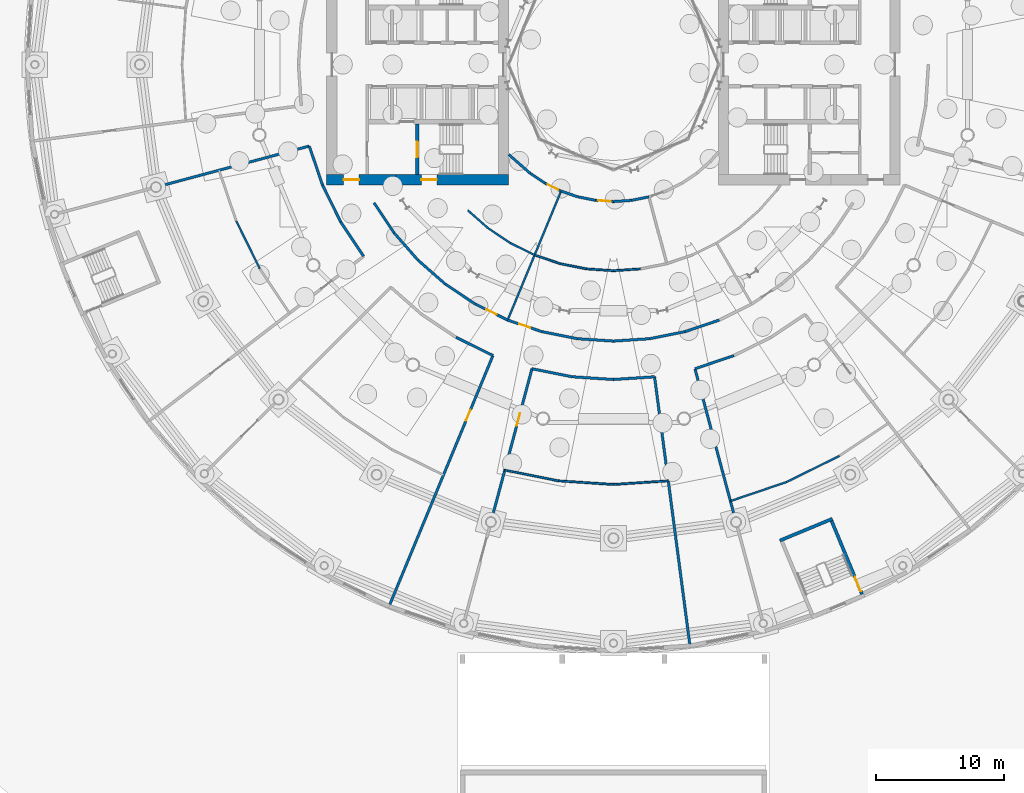
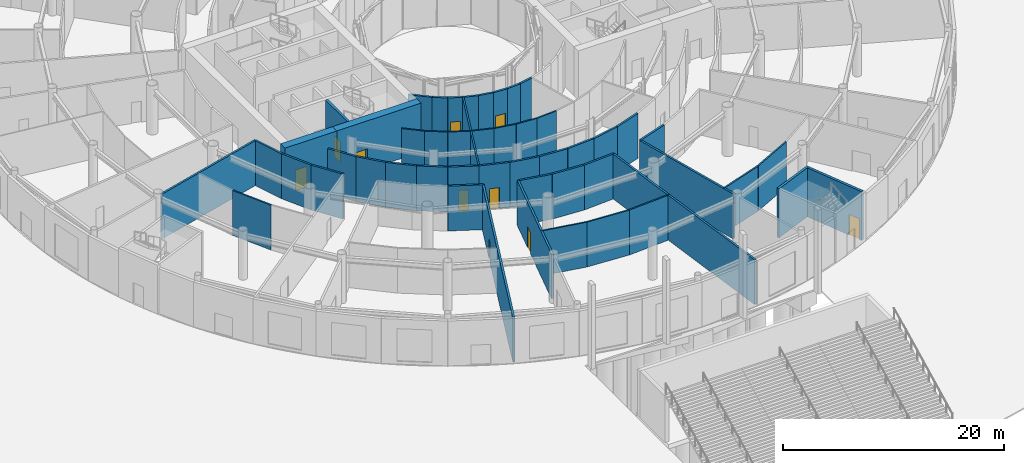
# One storey, part 19 of 41: 51 walls, 10 doors, 10 openings.
"""IFC4 building model written with IfcOpenShell, lengths in metres."""

from ifc_helpers import new_model, si_unit, direction, frame, frame_2d, origin, place, context, subcontext, project, spatial, rectangle, extrude, material, layer, layer_set, type_object, element, fill, save


model = new_model("IFC4")

# Units and contexts
model_context = context("Model", 3, precision=1e-05, world=origin(), true_north=direction((0.0, 1.0)))
body_context = subcontext(model_context, "Body", "Model", "MODEL_VIEW")
ifc_project = project(units=[si_unit("LENGTHUNIT", "METRE"), si_unit("AREAUNIT", "SQUARE_METRE"), si_unit("VOLUMEUNIT", "CUBIC_METRE"), si_unit("PLANEANGLEUNIT", "RADIAN"), si_unit("MASSUNIT", "GRAM", prefix="KILO")], contexts=[model_context])

# Site, building, storey
site_placement = place(None, origin())
site = spatial("IfcSite", under=ifc_project, at=site_placement, CompositionType="ELEMENT")
building_placement = place(site_placement, origin())
building = spatial("IfcBuilding", under=site, at=building_placement, Name="Maasbend Ring Residences", CompositionType="ELEMENT")
storey_placement = place(building_placement, origin())
storey = spatial("IfcBuildingStorey", under=building, at=storey_placement, Name="L00", CompositionType="ELEMENT", Elevation=0.0)

# Wall, opening, door
ifc_material_1 = material(Name="Concrete C70/85", Category="concrete")
ifc_layer_1 = layer(ifc_material_1, 0.25)
ifc_layer_set_1 = layer_set([ifc_layer_1], Name="Concrete C70/85")
wall_type_1 = type_object("IfcWallType", Name="CORE WALL 250 C70/85", PredefinedType="SHEAR", material=ifc_layer_set_1)
wall_1_placement = place(storey_placement, frame((-15.324951171875, -4.64990234375, 0.0), z_axis=(0.0, 0.0, 1.0), x_axis=(0.0, -1.0, 0.0)))
wall_1 = element("IfcWall", 1, at=wall_1_placement, inside=storey, type_object=wall_type_1, Name="L00 core W wall STEN", PredefinedType="SHEAR", context=body_context, shape_type="SweptSolid", body=[
    extrude(rectangle(XDim=3.9501953125, YDim=0.25, at=frame_2d((1.97509765625, 0.0))), origin(), (0.0, 0.0, 1.0), 5.39990234375),
])
opening_1_placement = place(wall_1_placement, frame((1.375, 0.0, 0.0)))
opening_1 = element("IfcOpeningElement", 2, at=opening_1_placement, cuts=wall_1, Name="Opening D-W0012", PredefinedType="OPENING", context=body_context, shape_type="SweptSolid", body=[
    extrude(rectangle(XDim=1.199951171875, YDim=2.300048828125, at=frame_2d((0.60009765625, 1.14990234375))), frame((0.0, 0.135009765625, 0.0), z_axis=(0.0, -1.0, 0.0), x_axis=(1.0, 0.0, 0.0)), (0.0, 0.0, 1.0), 0.27001953125),
])
ifc_material_2 = material(Name="Steel, powder coated", Category="steel")
door_type_1 = type_object("IfcDoorType", Name="STAIR DOOR 1200 X 2300 FD60", OperationType="NOTDEFINED", PredefinedType="DOOR", material=ifc_material_2)
door_1_placement = place(opening_1_placement, origin())
door_1 = element("IfcDoor", 3, at=door_1_placement, inside=storey, type_object=door_type_1, Name="Stair door ST-W L00", OperationType="SINGLE_SWING_LEFT", OverallHeight=2.300048828125, OverallWidth=1.199951171875, PredefinedType="DOOR", context=body_context, shape_type="SweptSolid", body=[
    extrude(rectangle(XDim=1.199951171875, YDim=2.300048828125, at=frame_2d((0.60009765625, 1.14990234375))), frame((0.0, 0.02490234375, 0.0), z_axis=(0.0, -1.0, 0.0), x_axis=(1.0, 0.0, 0.0)), (0.0, 0.0, 1.0), 0.050048828125),
])
fill(opening_1, door_1)

wall_2_placement = place(storey_placement, frame((19.40966796875, -41.37158203125, 0.0), z_axis=(0.0, 0.0, 1.0), x_axis=(-0.382666023753, 0.923886743203, 0.0)))
wall_2 = element("IfcWall", 4, at=wall_2_placement, inside=storey, type_object=wall_type_1, Name="L00 ST-P2 enclosure wall WS+", PredefinedType="SHEAR", context=body_context, shape_type="SweptSolid", body=[
    extrude(rectangle(XDim=6.4501953125, YDim=0.25, at=frame_2d((3.22509765625, 0.0))), origin(), (0.0, 0.0, 1.0), 5.39990234375),
])
opening_2_placement = place(wall_2_placement, frame((0.25, 0.0, 0.0)))
opening_2 = element("IfcOpeningElement", 5, at=opening_2_placement, cuts=wall_2, Name="Opening D-P200S", PredefinedType="OPENING", context=body_context, shape_type="SweptSolid", body=[
    extrude(rectangle(XDim=1.199951171875, YDim=2.300048828125, at=frame_2d((0.60009765625, 1.14990234375))), frame((0.0, 0.135009765625, 0.0), z_axis=(0.0, -1.0, 0.0), x_axis=(1.0, 0.0, 0.0)), (0.0, 0.0, 1.0), 0.27001953125),
])
door_2_placement = place(opening_2_placement, origin())
door_2 = element("IfcDoor", 6, at=door_2_placement, inside=storey, type_object=door_type_1, Name="Stair door ST-P2 L00", OperationType="SINGLE_SWING_RIGHT", OverallHeight=2.300048828125, OverallWidth=1.199951171875, PredefinedType="DOOR", context=body_context, shape_type="SweptSolid", body=[
    extrude(rectangle(XDim=1.199951171875, YDim=2.300048828125, at=frame_2d((0.60009765625, 1.14990234375))), frame((0.0, 0.02490234375, 0.0), z_axis=(0.0, -1.0, 0.0), x_axis=(1.0, 0.0, 0.0)), (0.0, 0.0, 1.0), 0.050048828125),
])
fill(opening_2, door_2)

# Wall
wall_3_placement = place(storey_placement, frame((12.993408203125, -37.18310546875, 0.0), z_axis=(0.0, 0.0, 1.0), x_axis=(0.923867048273, 0.382713570591, 0.0)))
element("IfcWall", 7, at=wall_3_placement, inside=storey, type_object=wall_type_1, Name="L00 ST-P2 enclosure wall WIN", PredefinedType="SHEAR", context=body_context, shape_type="SweptSolid", body=[
    extrude(rectangle(XDim=4.4501953125, YDim=0.25, at=frame_2d((2.22509765625, 0.0))), origin(), (0.0, 0.0, 1.0), 5.39990234375),
])

# Wall, opening, door
ifc_material_3 = material(Name="Concrete C70/85", Category="concrete")
ifc_layer_2 = layer(ifc_material_3, 0.800048828125)
ifc_layer_set_2 = layer_set([ifc_layer_2], Name="Concrete C70/85")
wall_type_2 = type_object("IfcWallType", Name="CORE WALL 800 C70/85", PredefinedType="SHEAR", material=ifc_layer_set_2)
wall_4_placement = place(storey_placement, frame((-8.199951171875, -9.0, 0.0), z_axis=(0.0, 0.0, 1.0), x_axis=(-1.0, 0.0, 0.0)))
wall_4 = element("IfcWall", 8, at=wall_4_placement, inside=storey, type_object=wall_type_2, Name="L00 core W wall PNA", PredefinedType="SHEAR", context=body_context, shape_type="SweptSolid", body=[
    extrude(rectangle(XDim=8.800048828125, YDim=0.800048828125, at=frame_2d((4.39990234375, 0.0))), origin(), (0.0, 0.0, 1.0), 5.39990234375),
])
opening_3_placement = place(wall_4_placement, frame((5.60009765625, 0.0, 0.0)))
opening_3 = element("IfcOpeningElement", 9, at=opening_3_placement, cuts=wall_4, Name="Opening D-W0020", PredefinedType="OPENING", context=body_context, shape_type="SweptSolid", body=[
    extrude(rectangle(XDim=1.199951171875, YDim=2.300048828125, at=frame_2d((0.60009765625, 1.14990234375))), frame((0.0, 0.41015625, 0.0), z_axis=(0.0, -1.0, 0.0), x_axis=(1.0, 0.0, 0.0)), (0.0, 0.0, 1.0), 0.820068359375),
])
door_3_placement = place(opening_3_placement, origin())
door_3 = element("IfcDoor", 10, at=door_3_placement, inside=storey, type_object=door_type_1, Name="Stair door ST-W L00", OperationType="SINGLE_SWING_LEFT", OverallHeight=2.300048828125, OverallWidth=1.199951171875, PredefinedType="DOOR", context=body_context, shape_type="SweptSolid", body=[
    extrude(rectangle(XDim=1.199951171875, YDim=2.300048828125, at=frame_2d((0.60009765625, 1.14990234375))), frame((0.0, 0.02490234375, 0.0), z_axis=(0.0, -1.0, 0.0), x_axis=(1.0, 0.0, 0.0)), (0.0, 0.0, 1.0), 0.050048828125),
])
fill(opening_3, door_3)

wall_5_placement = place(storey_placement, frame((-22.39990234375, -9.0, 0.0), z_axis=(0.0, 0.0, 1.0), x_axis=(1.0, 0.0, 0.0)))
wall_5 = element("IfcWall", 11, at=wall_5_placement, inside=storey, type_object=wall_type_2, Name="L00 core W wall PNB", PredefinedType="SHEAR", context=body_context, shape_type="SweptSolid", body=[
    extrude(rectangle(XDim=5.39990234375, YDim=0.800048828125, at=frame_2d((2.699951171875, 0.0))), origin(), (0.0, 0.0, 1.0), 5.39990234375),
])
opening_4_placement = place(wall_5_placement, frame((1.324951171875, 0.0, 0.0)))
opening_4 = element("IfcOpeningElement", 12, at=opening_4_placement, cuts=wall_5, Name="Opening D-W0016", PredefinedType="OPENING", context=body_context, shape_type="SweptSolid", body=[
    extrude(rectangle(XDim=1.199951171875, YDim=2.300048828125, at=frame_2d((0.60009765625, 1.14990234375))), frame((0.0, 0.41015625, 0.0), z_axis=(0.0, -1.0, 0.0), x_axis=(1.0, 0.0, 0.0)), (0.0, 0.0, 1.0), 0.820068359375),
])
ifc_material_4 = material(Name="Steel, powder coated", Category="steel")
door_type_2 = type_object("IfcDoorType", Name="CORRIDOR DOOR 1200 X 2300 FD30S", OperationType="NOTDEFINED", PredefinedType="DOOR", material=ifc_material_4)
door_4_placement = place(opening_4_placement, origin())
door_4 = element("IfcDoor", 13, at=door_4_placement, inside=storey, type_object=door_type_2, Name="Corridor door L00", OperationType="SINGLE_SWING_RIGHT", OverallHeight=2.300048828125, OverallWidth=1.199951171875, PredefinedType="DOOR", context=body_context, shape_type="SweptSolid", body=[
    extrude(rectangle(XDim=1.199951171875, YDim=2.300048828125, at=frame_2d((0.60009765625, 1.14990234375))), frame((0.0, 0.02490234375, 0.0), z_axis=(0.0, -1.0, 0.0), x_axis=(1.0, 0.0, 0.0)), (0.0, 0.0, 1.0), 0.050048828125),
])
fill(opening_4, door_4)

# Walls
ifc_material_5 = material(Name="Concrete C30/37", Category="concrete")
ifc_layer_3 = layer(ifc_material_5, 0.199951171875)
ifc_layer_set_3 = layer_set([ifc_layer_3], Name="Concrete C30/37")
wall_type_3 = type_object("IfcWallType", Name="CORRIDOR WALL 200 CONCRETE", PredefinedType="PARTITIONING", material=ifc_layer_set_3)
wall_6_placement = place(storey_placement, frame((-23.761962890625, -6.366943359375, 0.0), z_axis=(0.0, 0.0, 1.0), x_axis=(0.321593976879, -0.946877665823, 0.0)))
element("IfcWall", 14, at=wall_6_placement, inside=storey, type_object=wall_type_3, Name="U-L00-w020", PredefinedType="PARTITIONING", context=body_context, shape_type="SweptSolid", body=[
    extrude(rectangle(XDim=3.218017578125, YDim=0.199951171875, at=frame_2d((1.60888671875, 0.0))), origin(), (0.0, 0.0, 1.0), 4.949951171875),
])
wall_7_placement = place(storey_placement, frame((-22.72705078125, -9.4140625, 0.0), z_axis=(0.0, 0.0, 1.0), x_axis=(0.442259878763, -0.896886949195, 0.0)))
element("IfcWall", 15, at=wall_7_placement, inside=storey, type_object=wall_type_3, Name="U-L00-w021", PredefinedType="PARTITIONING", context=body_context, shape_type="SweptSolid", body=[
    extrude(rectangle(XDim=3.2177734375, YDim=0.199951171875, at=frame_2d((1.60888671875, 0.0))), origin(), (0.0, 0.0, 1.0), 4.949951171875),
])
wall_8_placement = place(storey_placement, frame((-21.303955078125, -12.300048828125, 0.0), z_axis=(0.0, 0.0, 1.0), x_axis=(0.555522714148, -0.831501361433, 0.0)))
element("IfcWall", 16, at=wall_8_placement, inside=storey, type_object=wall_type_3, Name="U-L00-w022", PredefinedType="PARTITIONING", context=body_context, shape_type="SweptSolid", body=[
    extrude(rectangle(XDim=3.21826171875, YDim=0.199951171875, at=frame_2d((1.609130859375, 0.0))), origin(), (0.0, 0.0, 1.0), 4.949951171875),
])
for number, where, z_axis, x_axis, name in (
    (17, (-12.300048828125, -21.303955078125, 0.0), (0.0, 0.0, 1.0), (0.896886949195, -0.442259878763, 0.0), "U-L00-w025"),
    (18, (-6.366943359375, -23.761962890625, 0.0), (0.0, 0.0, 1.0), (0.98077570041, -0.195138477717, 0.0), "U-L00-w026"),
    (19, (-3.2109375, -24.389892578125, 0.0), (0.0, 0.0, 1.0), (0.997864008616, -0.06532549509, 0.0), "U-L00-w027"),
    (20, (0.0, -24.60009765625, 0.0), (0.0, 0.0, 1.0), (0.997864008616, 0.06532549509, 0.0), "U-L00-w028"),
):
    element("IfcWall", number, at=place(storey_placement, frame(where, z_axis=z_axis, x_axis=x_axis)), inside=storey, type_object=wall_type_3, Name=name, PredefinedType="PARTITIONING", context=body_context, shape_type="SweptSolid", body=[
        extrude(rectangle(XDim=3.2177734375, YDim=0.199951171875, at=frame_2d((1.60888671875, 0.0))), origin(), (0.0, 0.0, 1.0), 4.949951171875),
    ])
wall_9_placement = place(storey_placement, frame((6.366943359375, -23.761962890625, 0.0), z_axis=(0.0, 0.0, 1.0), x_axis=(0.946877665823, 0.321593976879, 0.0)))
element("IfcWall", 21, at=wall_9_placement, inside=storey, type_object=wall_type_3, Name="U-L00-w029", PredefinedType="PARTITIONING", context=body_context, shape_type="SweptSolid", body=[
    extrude(rectangle(XDim=3.218017578125, YDim=0.199951171875, at=frame_2d((1.60888671875, 0.0))), origin(), (0.0, 0.0, 1.0), 4.949951171875),
])
wall_10_placement = place(storey_placement, frame((-18.7060546875, -10.800048828125, 0.0), z_axis=(0.0, 0.0, 1.0), x_axis=(0.55571678686, -0.831371669473, 0.0)))
element("IfcWall", 22, at=wall_10_placement, inside=storey, type_object=wall_type_3, Name="U-L00-w037", PredefinedType="PARTITIONING", context=body_context, shape_type="SweptSolid", body=[
    extrude(rectangle(XDim=2.8251953125, YDim=0.199951171875, at=frame_2d((1.41259765625, 0.0))), origin(), (0.0, 0.0, 1.0), 4.949951171875),
])
for number, where, z_axis, x_axis, name in (
    (23, (-17.135986328125, -13.14892578125, 0.0), (0.0, 0.0, 1.0), (0.659042776199, -0.752105457459, 0.0), "U-L00-w038"),
    (24, (-15.27392578125, -15.27392578125, 0.0), (0.0, 0.0, 1.0), (0.752105457459, -0.659042776199, 0.0), "U-L00-w039"),
):
    element("IfcWall", number, at=place(storey_placement, frame(where, z_axis=z_axis, x_axis=x_axis)), inside=storey, type_object=wall_type_3, Name=name, PredefinedType="PARTITIONING", context=body_context, shape_type="SweptSolid", body=[
        extrude(rectangle(XDim=2.825439453125, YDim=0.199951171875, at=frame_2d((1.41259765625, 0.0))), origin(), (0.0, 0.0, 1.0), 4.949951171875),
    ])
wall_11_placement = place(storey_placement, frame((-13.14892578125, -17.135986328125, 0.0), z_axis=(0.0, 0.0, 1.0), x_axis=(0.831371669473, -0.55571678686, 0.0)))
element("IfcWall", 25, at=wall_11_placement, inside=storey, type_object=wall_type_3, Name="U-L00-w040", PredefinedType="PARTITIONING", context=body_context, shape_type="SweptSolid", body=[
    extrude(rectangle(XDim=2.8251953125, YDim=0.199951171875, at=frame_2d((1.41259765625, 0.0))), origin(), (0.0, 0.0, 1.0), 4.949951171875),
])

# Wall, opening, door
wall_12_placement = place(storey_placement, frame((-10.800048828125, -18.7060546875, 0.0), z_axis=(0.0, 0.0, 1.0), x_axis=(0.896816398134, -0.442402924988, 0.0)))
wall_12 = element("IfcWall", 26, at=wall_12_placement, inside=storey, type_object=wall_type_3, Name="U-L00-w041", PredefinedType="PARTITIONING", context=body_context, shape_type="SweptSolid", body=[
    extrude(rectangle(XDim=2.825439453125, YDim=0.199951171875, at=frame_2d((1.41259765625, 0.0))), origin(), (0.0, 0.0, 1.0), 4.949951171875),
])
opening_5_placement = place(wall_12_placement, frame((0.962890625, 0.0, 0.0)))
opening_5 = element("IfcOpeningElement", 27, at=opening_5_placement, cuts=wall_12, Name="Opening D-0015", PredefinedType="OPENING", context=body_context, shape_type="SweptSolid", body=[
    extrude(rectangle(XDim=0.89990234375, YDim=2.300048828125, at=frame_2d((0.449951171875, 1.14990234375))), frame((0.0, 0.10986328125, 0.0), z_axis=(0.0, -1.0, 0.0), x_axis=(1.0, 0.0, 0.0)), (0.0, 0.0, 1.0), 0.219970703125),
])
ifc_material_6 = material(Name="Steel, fire-rated, painted", Category="steel")
door_type_3 = type_object("IfcDoorType", Name="SERVICE DOOR 900 X 2300 FIRE-RATED", OperationType="NOTDEFINED", PredefinedType="DOOR", material=ifc_material_6)
door_5_placement = place(opening_5_placement, origin())
door_5 = element("IfcDoor", 28, at=door_5_placement, inside=storey, type_object=door_type_3, Name="D-0015", OperationType="SINGLE_SWING_LEFT", OverallHeight=2.300048828125, OverallWidth=0.89990234375, PredefinedType="DOOR", context=body_context, shape_type="SweptSolid", body=[
    extrude(rectangle(XDim=0.89990234375, YDim=2.300048828125, at=frame_2d((0.449951171875, 1.14990234375))), frame((0.0, 0.02490234375, 0.0), z_axis=(0.0, -1.0, 0.0), x_axis=(1.0, 0.0, 0.0)), (0.0, 0.0, 1.0), 0.050048828125),
])
fill(opening_5, door_5)

wall_13_placement = place(storey_placement, frame((-8.26611328125, -19.9560546875, 0.0), z_axis=(0.0, 0.0, 1.0), x_axis=(0.946976353269, -0.321303262276, 0.0)))
wall_13 = element("IfcWall", 29, at=wall_13_placement, inside=storey, type_object=wall_type_3, Name="U-L00-w042", PredefinedType="PARTITIONING", context=body_context, shape_type="SweptSolid", body=[
    extrude(rectangle(XDim=2.825927734375, YDim=0.199951171875, at=frame_2d((1.4130859375, 0.0))), origin(), (0.0, 0.0, 1.0), 4.949951171875),
])
opening_6_placement = place(wall_13_placement, frame((0.962890625, 0.0, 0.0)))
opening_6 = element("IfcOpeningElement", 30, at=opening_6_placement, cuts=wall_13, Name="Opening D-0016", PredefinedType="OPENING", context=body_context, shape_type="SweptSolid", body=[
    extrude(rectangle(XDim=0.89990234375, YDim=2.300048828125, at=frame_2d((0.449951171875, 1.14990234375))), frame((0.0, 0.10986328125, 0.0), z_axis=(0.0, -1.0, 0.0), x_axis=(1.0, 0.0, 0.0)), (0.0, 0.0, 1.0), 0.219970703125),
])
door_6_placement = place(opening_6_placement, origin())
door_6 = element("IfcDoor", 31, at=door_6_placement, inside=storey, type_object=door_type_3, Name="D-0016", OperationType="SINGLE_SWING_LEFT", OverallHeight=2.300048828125, OverallWidth=0.89990234375, PredefinedType="DOOR", context=body_context, shape_type="SweptSolid", body=[
    extrude(rectangle(XDim=0.89990234375, YDim=2.300048828125, at=frame_2d((0.449951171875, 1.14990234375))), frame((0.0, 0.02490234375, 0.0), z_axis=(0.0, -1.0, 0.0), x_axis=(1.0, 0.0, 0.0)), (0.0, 0.0, 1.0), 0.050048828125),
])
fill(opening_6, door_6)

# Walls
for number, where, z_axis, x_axis, name in (
    (32, (-5.590087890625, -20.864013671875, 0.0), (0.0, 0.0, 1.0), (0.980796115138, -0.195035844217, 0.0), "U-L00-w043"),
    (33, (-2.819091796875, -21.4150390625, 0.0), (0.0, 0.0, 1.0), (0.99785232164, -0.065503772391, 0.0), "U-L00-w044"),
    (34, (0.0, -21.60009765625, 0.0), (0.0, 0.0, 1.0), (0.99785232164, 0.065503772391, 0.0), "U-L00-w045"),
    (35, (2.819091796875, -21.4150390625, 0.0), (0.0, 0.0, 1.0), (0.980796115138, 0.195035844217, 0.0), "U-L00-w046"),
):
    element("IfcWall", number, at=place(storey_placement, frame(where, z_axis=z_axis, x_axis=x_axis)), inside=storey, type_object=wall_type_3, Name=name, PredefinedType="PARTITIONING", context=body_context, shape_type="SweptSolid", body=[
        extrude(rectangle(XDim=2.8251953125, YDim=0.199951171875, at=frame_2d((1.41259765625, 0.0))), origin(), (0.0, 0.0, 1.0), 4.949951171875),
    ])
wall_14_placement = place(storey_placement, frame((5.590087890625, -20.864013671875, 0.0), z_axis=(0.0, 0.0, 1.0), x_axis=(0.946976353269, 0.321303262276, 0.0)))
element("IfcWall", 36, at=wall_14_placement, inside=storey, type_object=wall_type_3, Name="U-L00-w047", PredefinedType="PARTITIONING", context=body_context, shape_type="SweptSolid", body=[
    extrude(rectangle(XDim=2.825927734375, YDim=0.199951171875, at=frame_2d((1.4130859375, 0.0))), origin(), (0.0, 0.0, 1.0), 4.949951171875),
])
wall_15_placement = place(storey_placement, frame((-8.176025390625, -7.031005859375, 0.0), z_axis=(0.0, 0.0, 1.0), x_axis=(0.751755271413, -0.659442197544, 0.0)))
element("IfcWall", 37, at=wall_15_placement, inside=storey, type_object=wall_type_3, Name="U-L00-w067", PredefinedType="PARTITIONING", context=body_context, shape_type="SweptSolid", body=[
    extrude(rectangle(XDim=2.2109375, YDim=0.199951171875, at=frame_2d((1.10546875, 0.0))), origin(), (0.0, 0.0, 1.0), 4.949951171875),
])
wall_16_placement = place(storey_placement, frame((-6.513916015625, -8.489013671875, 0.0), z_axis=(0.0, 0.0, 1.0), x_axis=(0.831647476803, -0.555303947696, 0.0)))
element("IfcWall", 38, at=wall_16_placement, inside=storey, type_object=wall_type_3, Name="U-L00-w068", PredefinedType="PARTITIONING", context=body_context, shape_type="SweptSolid", body=[
    extrude(rectangle(XDim=1.3994140625, YDim=0.199951171875, at=frame_2d((0.69970703125, 0.0))), origin(), (0.0, 0.0, 1.0), 4.949951171875),
])

# Wall, opening, door
wall_17_placement = place(storey_placement, frame((-5.35009765625, -9.26611328125, 0.0), z_axis=(0.0, 0.0, 1.0), x_axis=(0.896613890545, -0.442813201341, 0.0)))
wall_17 = element("IfcWall", 39, at=wall_17_placement, inside=storey, type_object=wall_type_3, Name="U-L00-w069", PredefinedType="PARTITIONING", context=body_context, shape_type="SweptSolid", body=[
    extrude(rectangle(XDim=1.39990234375, YDim=0.199951171875, at=frame_2d((0.699951171875, 0.0))), origin(), (0.0, 0.0, 1.0), 4.949951171875),
])
opening_7_placement = place(wall_17_placement, frame((0.25, 0.0, 0.0)))
opening_7 = element("IfcOpeningElement", 40, at=opening_7_placement, cuts=wall_17, Name="Opening D-0004", PredefinedType="OPENING", context=body_context, shape_type="SweptSolid", body=[
    extrude(rectangle(XDim=0.89990234375, YDim=2.300048828125, at=frame_2d((0.449951171875, 1.14990234375))), frame((0.0, 0.10986328125, 0.0), z_axis=(0.0, -1.0, 0.0), x_axis=(1.0, 0.0, 0.0)), (0.0, 0.0, 1.0), 0.219970703125),
])
door_7_placement = place(opening_7_placement, origin())
door_7 = element("IfcDoor", 41, at=door_7_placement, inside=storey, type_object=door_type_3, Name="D-0004", OperationType="SINGLE_SWING_RIGHT", OverallHeight=2.300048828125, OverallWidth=0.89990234375, PredefinedType="DOOR", context=body_context, shape_type="SweptSolid", body=[
    extrude(rectangle(XDim=0.89990234375, YDim=2.300048828125, at=frame_2d((0.449951171875, 1.14990234375))), frame((0.0, 0.02490234375, 0.0), z_axis=(0.0, -1.0, 0.0), x_axis=(1.0, 0.0, 0.0)), (0.0, 0.0, 1.0), 0.050048828125),
])
fill(opening_7, door_7)

# Walls
wall_18_placement = place(storey_placement, frame((-4.094970703125, -9.885986328125, 0.0), z_axis=(0.0, 0.0, 1.0), x_axis=(0.947172777338, -0.320723759441, 0.0)))
element("IfcWall", 42, at=wall_18_placement, inside=storey, type_object=wall_type_3, Name="U-L00-w070", PredefinedType="PARTITIONING", context=body_context, shape_type="SweptSolid", body=[
    extrude(rectangle(XDim=1.39990234375, YDim=0.199951171875, at=frame_2d((0.699951171875, 0.0))), origin(), (0.0, 0.0, 1.0), 4.949951171875),
])
wall_19_placement = place(storey_placement, frame((-2.76904296875, -10.3349609375, 0.0), z_axis=(0.0, 0.0, 1.0), x_axis=(0.98078152375, -0.195109207038, 0.0)))
element("IfcWall", 43, at=wall_19_placement, inside=storey, type_object=wall_type_3, Name="U-L00-w071", PredefinedType="PARTITIONING", context=body_context, shape_type="SweptSolid", body=[
    extrude(rectangle(XDim=1.39892578125, YDim=0.199951171875, at=frame_2d((0.699462890625, 0.0))), origin(), (0.0, 0.0, 1.0), 4.949951171875),
])

# Wall, opening, door
wall_20_placement = place(storey_placement, frame((-1.39697265625, -10.60791015625, 0.0), z_axis=(0.0, 0.0, 1.0), x_axis=(0.997836555004, -0.065743512974, 0.0)))
wall_20 = element("IfcWall", 44, at=wall_20_placement, inside=storey, type_object=wall_type_3, Name="U-L00-w072", PredefinedType="PARTITIONING", context=body_context, shape_type="SweptSolid", body=[
    extrude(rectangle(XDim=1.39990234375, YDim=0.199951171875, at=frame_2d((0.699951171875, 0.0))), origin(), (0.0, 0.0, 1.0), 4.949951171875),
])
opening_8_placement = place(wall_20_placement, frame((0.199951171875, 0.0, 0.0)))
opening_8 = element("IfcOpeningElement", 45, at=opening_8_placement, cuts=wall_20, Name="Opening D-0005", PredefinedType="OPENING", context=body_context, shape_type="SweptSolid", body=[
    extrude(rectangle(XDim=1.0, YDim=2.300048828125, at=frame_2d((0.5, 1.14990234375))), frame((0.0, 0.10986328125, 0.0), z_axis=(0.0, -1.0, 0.0), x_axis=(1.0, 0.0, 0.0)), (0.0, 0.0, 1.0), 0.219970703125),
])
ifc_material_7 = material(Name="Timber, painted", Category="wood")
door_type_4 = type_object("IfcDoorType", Name="ROOM DOOR 1000 X 2300", OperationType="NOTDEFINED", PredefinedType="DOOR", material=ifc_material_7)
door_8_placement = place(opening_8_placement, origin())
door_8 = element("IfcDoor", 46, at=door_8_placement, inside=storey, type_object=door_type_4, Name="D-0005", OperationType="SINGLE_SWING_LEFT", OverallHeight=2.300048828125, OverallWidth=1.0, PredefinedType="DOOR", context=body_context, shape_type="SweptSolid", body=[
    extrude(rectangle(XDim=1.0, YDim=2.300048828125, at=frame_2d((0.5, 1.14990234375))), frame((0.0, 0.02490234375, 0.0), z_axis=(0.0, -1.0, 0.0), x_axis=(1.0, 0.0, 0.0)), (0.0, 0.0, 1.0), 0.050048828125),
])
fill(opening_8, door_8)

# Walls
wall_21_placement = place(storey_placement, frame((0.0, -10.699951171875, 0.0), z_axis=(0.0, 0.0, 1.0), x_axis=(0.997836555004, 0.065743512974, 0.0)))
element("IfcWall", 47, at=wall_21_placement, inside=storey, type_object=wall_type_3, Name="U-L00-w073", PredefinedType="PARTITIONING", context=body_context, shape_type="SweptSolid", body=[
    extrude(rectangle(XDim=1.39990234375, YDim=0.199951171875, at=frame_2d((0.699951171875, 0.0))), origin(), (0.0, 0.0, 1.0), 4.949951171875),
])
wall_22_placement = place(storey_placement, frame((1.39697265625, -10.60791015625, 0.0), z_axis=(0.0, 0.0, 1.0), x_axis=(0.98078152375, 0.195109207038, 0.0)))
element("IfcWall", 48, at=wall_22_placement, inside=storey, type_object=wall_type_3, Name="U-L00-w074", PredefinedType="PARTITIONING", context=body_context, shape_type="SweptSolid", body=[
    extrude(rectangle(XDim=1.39892578125, YDim=0.199951171875, at=frame_2d((0.699462890625, 0.0))), origin(), (0.0, 0.0, 1.0), 4.949951171875),
])
wall_23_placement = place(storey_placement, frame((-35.35302734375, -9.471923828125, 0.0), z_axis=(0.0, 0.0, 1.0), x_axis=(0.965943238878, 0.258754051689, 0.0)))
element("IfcWall", 49, at=wall_23_placement, inside=storey, type_object=wall_type_3, Name="U-L00-w088", PredefinedType="PARTITIONING", context=body_context, shape_type="SweptSolid", body=[
    extrude(rectangle(XDim=11.999755859375, YDim=0.199951171875, at=frame_2d((6.0, 0.0))), origin(), (0.0, 0.0, 1.0), 4.949951171875),
])

# Wall, opening, door
wall_24_placement = place(storey_placement, frame((-17.489013671875, -42.220947265625, 0.0), z_axis=(0.0, 0.0, 1.0), x_axis=(0.382735672225, 0.923857892323, 0.0)))
wall_24 = element("IfcWall", 50, at=wall_24_placement, inside=storey, type_object=wall_type_3, Name="U-L00-w095", PredefinedType="PARTITIONING", context=body_context, shape_type="SweptSolid", body=[
    extrude(rectangle(XDim=21.1005859375, YDim=0.199951171875, at=frame_2d((10.55029296875, 0.0))), origin(), (0.0, 0.0, 1.0), 4.949951171875),
])
opening_9_placement = place(wall_24_placement, frame((15.60009765625, 0.0, 0.0)))
opening_9 = element("IfcOpeningElement", 51, at=opening_9_placement, cuts=wall_24, Name="Opening D-0037", PredefinedType="OPENING", context=body_context, shape_type="SweptSolid", body=[
    extrude(rectangle(XDim=0.89990234375, YDim=2.300048828125, at=frame_2d((0.449951171875, 1.14990234375))), frame((0.0, 0.10986328125, 0.0), z_axis=(0.0, -1.0, 0.0), x_axis=(1.0, 0.0, 0.0)), (0.0, 0.0, 1.0), 0.219970703125),
])
door_9_placement = place(opening_9_placement, origin())
door_9 = element("IfcDoor", 52, at=door_9_placement, inside=storey, type_object=door_type_3, Name="D-0037", OperationType="SINGLE_SWING_RIGHT", OverallHeight=2.300048828125, OverallWidth=0.89990234375, PredefinedType="DOOR", context=body_context, shape_type="SweptSolid", body=[
    extrude(rectangle(XDim=0.89990234375, YDim=2.300048828125, at=frame_2d((0.449951171875, 1.14990234375))), frame((0.0, 0.02490234375, 0.0), z_axis=(0.0, -1.0, 0.0), x_axis=(1.0, 0.0, 0.0)), (0.0, 0.0, 1.0), 0.050048828125),
])
fill(opening_9, door_9)

wall_25_placement = place(storey_placement, frame((-9.472900390625, -35.35302734375, 0.0), z_axis=(0.0, 0.0, 1.0), x_axis=(0.258829982463, 0.965922895566, 0.0)))
wall_25 = element("IfcWall", 53, at=wall_25_placement, inside=storey, type_object=wall_type_3, Name="U-L00-w102", PredefinedType="PARTITIONING", context=body_context, shape_type="SweptSolid", body=[
    extrude(rectangle(XDim=12.0, YDim=0.199951171875, at=frame_2d((6.0, 0.0))), origin(), (0.0, 0.0, 1.0), 4.949951171875),
])
opening_10_placement = place(wall_25_placement, frame((7.39990234375, 0.0, 0.0)))
opening_10 = element("IfcOpeningElement", 54, at=opening_10_placement, cuts=wall_25, Name="Opening D-0039", PredefinedType="OPENING", context=body_context, shape_type="SweptSolid", body=[
    extrude(rectangle(XDim=1.0, YDim=2.300048828125, at=frame_2d((0.5, 1.14990234375))), frame((0.0, 0.10986328125, 0.0), z_axis=(0.0, -1.0, 0.0), x_axis=(1.0, 0.0, 0.0)), (0.0, 0.0, 1.0), 0.219970703125),
])
door_10_placement = place(opening_10_placement, origin())
door_10 = element("IfcDoor", 55, at=door_10_placement, inside=storey, type_object=door_type_4, Name="D-0039", OperationType="SINGLE_SWING_RIGHT", OverallHeight=2.300048828125, OverallWidth=1.0, PredefinedType="DOOR", context=body_context, shape_type="SweptSolid", body=[
    extrude(rectangle(XDim=1.0, YDim=2.300048828125, at=frame_2d((0.5, 1.14990234375))), frame((0.0, 0.02490234375, 0.0), z_axis=(0.0, -1.0, 0.0), x_axis=(1.0, 0.0, 0.0)), (0.0, 0.0, 1.0), 0.050048828125),
])
fill(opening_10, door_10)

# Walls
wall_26_placement = place(storey_placement, frame((3.2099609375, -24.389892578125, 0.0), z_axis=(0.0, 0.0, 1.0), x_axis=(0.130501232125, -0.991448147113, 0.0)))
element("IfcWall", 56, at=wall_26_placement, inside=storey, type_object=wall_type_3, Name="U-L00-w111", PredefinedType="PARTITIONING", context=body_context, shape_type="SweptSolid", body=[
    extrude(rectangle(XDim=21.087646484375, YDim=0.199951171875, at=frame_2d((10.5439453125, 0.0))), origin(), (0.0, 0.0, 1.0), 4.949951171875),
])
wall_27_placement = place(storey_placement, frame((6.365966796875, -23.761962890625, 0.0), z_axis=(0.0, 0.0, 1.0), x_axis=(0.258905908438, -0.965902547142, 0.0)))
element("IfcWall", 57, at=wall_27_placement, inside=storey, type_object=wall_type_3, Name="U-L00-w114", PredefinedType="PARTITIONING", context=body_context, shape_type="SweptSolid", body=[
    extrude(rectangle(XDim=12.000244140625, YDim=0.199951171875, at=frame_2d((6.0, 0.0))), origin(), (0.0, 0.0, 1.0), 4.949951171875),
])
ifc_material_8 = material(Name="Gypsum board on steel studs", Category="steel")
ifc_layer_4 = layer(ifc_material_8, 0.14990234375)
ifc_layer_set_4 = layer_set([ifc_layer_4], Name="PARTITION 150 GYPSUM")
wall_type_4 = type_object("IfcWallType", Name="PARTITION 150 GYPSUM", PredefinedType="PARTITIONING", material=ifc_layer_set_4)
wall_28_placement = place(storey_placement, frame((9.135986328125, -34.096923828125, 0.0), z_axis=(0.0, 0.0, 1.0), x_axis=(0.946967210006, 0.321330208934, 0.0)))
element("IfcWall", 58, at=wall_28_placement, inside=storey, type_object=wall_type_4, Name="U-L00-w001", PredefinedType="PARTITIONING", context=body_context, shape_type="SweptSolid", body=[
    extrude(rectangle(XDim=4.617919921875, YDim=0.14990234375, at=frame_2d((2.30908203125, 0.0))), origin(), (0.0, 0.0, 1.0), 4.949951171875),
])
wall_29_placement = place(storey_placement, frame((13.509033203125, -32.613037109375, 0.0), z_axis=(0.0, 0.0, 1.0), x_axis=(0.896877766666, 0.442278500112, 0.0)))
element("IfcWall", 59, at=wall_29_placement, inside=storey, type_object=wall_type_4, Name="U-L00-w002", PredefinedType="PARTITIONING", context=body_context, shape_type="SweptSolid", body=[
    extrude(rectangle(XDim=4.616943359375, YDim=0.14990234375, at=frame_2d((2.30859375, 0.0))), origin(), (0.0, 0.0, 1.0), 4.949951171875),
])
wall_30_placement = place(storey_placement, frame((-8.489013671875, -31.681884765625, 0.0), z_axis=(0.0, 0.0, 1.0), x_axis=(0.980779330403, -0.195120232302, 0.0)))
element("IfcWall", 60, at=wall_30_placement, inside=storey, type_object=wall_type_4, Name="U-L00-w010", PredefinedType="PARTITIONING", context=body_context, shape_type="SweptSolid", body=[
    extrude(rectangle(XDim=4.29052734375, YDim=0.14990234375, at=frame_2d((2.145263671875, 0.0))), origin(), (0.0, 0.0, 1.0), 4.949951171875),
])
for number, where, z_axis, x_axis, name in (
    (61, (-4.281005859375, -32.51904296875, 0.0), (0.0, 0.0, 1.0), (0.997852622172, -0.065499194076, 0.0), "U-L00-w011"),
    (62, (0.0, -32.800048828125, 0.0), (0.0, 0.0, 1.0), (0.997852622172, 0.065499194076, 0.0), "U-L00-w012"),
):
    element("IfcWall", number, at=place(storey_placement, frame(where, z_axis=z_axis, x_axis=x_axis)), inside=storey, type_object=wall_type_4, Name=name, PredefinedType="PARTITIONING", context=body_context, shape_type="SweptSolid", body=[
        extrude(rectangle(XDim=4.290283203125, YDim=0.14990234375, at=frame_2d((2.14501953125, 0.0))), origin(), (0.0, 0.0, 1.0), 4.949951171875),
    ])
wall_31_placement = place(storey_placement, frame((-29.471923828125, -12.2080078125, 0.0), z_axis=(0.0, 0.0, 1.0), x_axis=(0.442409177578, -0.896813313681, 0.0)))
element("IfcWall", 63, at=wall_31_placement, inside=storey, type_object=wall_type_4, Name="U-L00-w017", PredefinedType="PARTITIONING", context=body_context, shape_type="SweptSolid", body=[
    extrude(rectangle(XDim=4.172607421875, YDim=0.14990234375, at=frame_2d((2.08642578125, 0.0))), origin(), (0.0, 0.0, 1.0), 4.949951171875),
])
for number, where, z_axis, x_axis, name in (
    (64, (-11.384033203125, -11.384033203125, 0.0), (0.0, 0.0, 1.0), (0.751685505492, -0.659521721275, 0.0), "U-L00-w053"),
    (65, (-9.801025390625, -12.77294921875, 0.0), (0.0, 0.0, 1.0), (0.831425547365, -0.555636175198, 0.0), "U-L00-w054"),
    (66, (-8.050048828125, -13.943115234375, 0.0), (0.0, 0.0, 1.0), (0.897008779175, -0.442012726156, 0.0), "U-L00-w055"),
):
    element("IfcWall", number, at=place(storey_placement, frame(where, z_axis=z_axis, x_axis=x_axis)), inside=storey, type_object=wall_type_4, Name=name, PredefinedType="PARTITIONING", context=body_context, shape_type="SweptSolid", body=[
        extrude(rectangle(XDim=2.10595703125, YDim=0.14990234375, at=frame_2d((1.052978515625, 0.0))), origin(), (0.0, 0.0, 1.0), 4.949951171875),
    ])
wall_32_placement = place(storey_placement, frame((-6.160888671875, -14.8740234375, 0.0), z_axis=(0.0, 0.0, 1.0), x_axis=(0.94690623261, -0.321509854662, 0.0)))
element("IfcWall", 67, at=wall_32_placement, inside=storey, type_object=wall_type_4, Name="U-L00-w056", PredefinedType="PARTITIONING", context=body_context, shape_type="SweptSolid", body=[
    extrude(rectangle(XDim=2.105712890625, YDim=0.14990234375, at=frame_2d((1.052734375, 0.0))), origin(), (0.0, 0.0, 1.0), 4.949951171875),
])
wall_33_placement = place(storey_placement, frame((-4.1669921875, -15.551025390625, 0.0), z_axis=(0.0, 0.0, 1.0), x_axis=(0.980789636989, -0.195068418702, 0.0)))
element("IfcWall", 68, at=wall_33_placement, inside=storey, type_object=wall_type_4, Name="U-L00-w057", PredefinedType="PARTITIONING", context=body_context, shape_type="SweptSolid", body=[
    extrude(rectangle(XDim=2.1064453125, YDim=0.14990234375, at=frame_2d((1.05322265625, 0.0))), origin(), (0.0, 0.0, 1.0), 4.949951171875),
])
for number, where, z_axis, x_axis, name in (
    (69, (-2.10107421875, -15.9619140625, 0.0), (0.0, 0.0, 1.0), (0.997844271403, -0.065626290683, 0.0), "U-L00-w058"),
    (70, (0.0, -16.10009765625, 0.0), (0.0, 0.0, 1.0), (0.997844271403, 0.065626290683, 0.0), "U-L00-w059"),
):
    element("IfcWall", number, at=place(storey_placement, frame(where, z_axis=z_axis, x_axis=x_axis)), inside=storey, type_object=wall_type_4, Name=name, PredefinedType="PARTITIONING", context=body_context, shape_type="SweptSolid", body=[
        extrude(rectangle(XDim=2.105712890625, YDim=0.14990234375, at=frame_2d((1.052734375, 0.0))), origin(), (0.0, 0.0, 1.0), 4.949951171875),
    ])
wall_34_placement = place(storey_placement, frame((-8.264892578125, -19.9560546875, 0.0), z_axis=(0.0, 0.0, 1.0), x_axis=(0.382771190481, 0.923843177026, 0.0)))
element("IfcWall", 71, at=wall_34_placement, inside=storey, type_object=wall_type_4, Name="U-L00-w103", PredefinedType="PARTITIONING", context=body_context, shape_type="SweptSolid", body=[
    extrude(rectangle(XDim=10.899169921875, YDim=0.14990234375, at=frame_2d((5.44970703125, 0.0))), origin(), (0.0, 0.0, 1.0), 4.949951171875),
])

save(model, "model.ifc")
